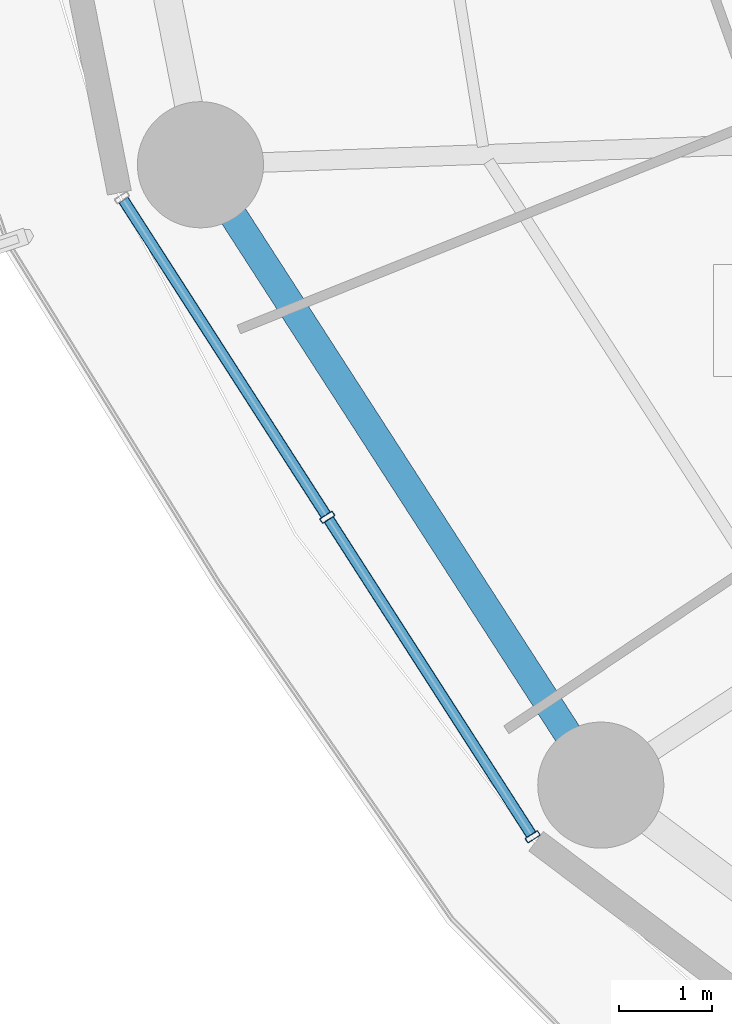
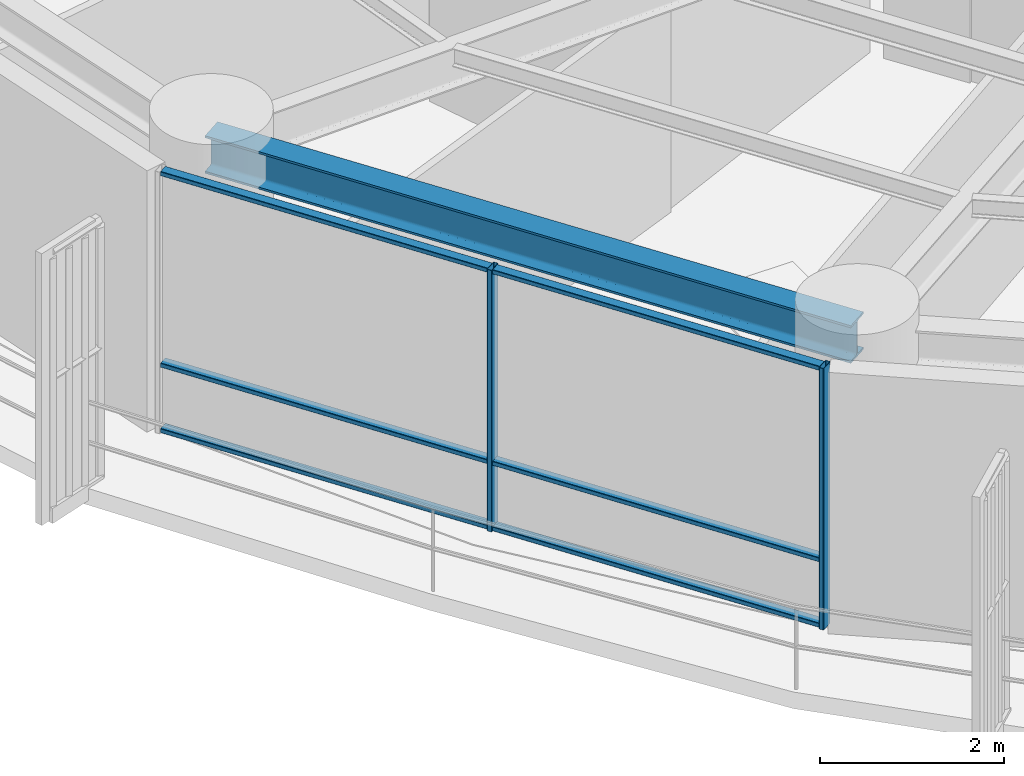
# One storey, part 2 of 35: 8 members, 1 beam, 1 element without a shape of its own.
"""IFC4 building model written with IfcOpenShell, lengths in metres."""

from ifc_helpers import new_model, si_unit, direction, frame, origin, origin_2d, place, context, subcontext, project, spatial, hollow_rectangle, i_section, extrude, material, layer, layer_set, material_profile, profile_set, type_object, element, aggregate, save


model = new_model("IFC4")

# Units and contexts
model_context = context("Model", 3, precision=1e-05, world=origin(), true_north=direction((0.0, 1.0)))
body_context = subcontext(model_context, "Body", "Model", "MODEL_VIEW")
ifc_project = project(units=[si_unit("LENGTHUNIT", "METRE"), si_unit("AREAUNIT", "SQUARE_METRE"), si_unit("VOLUMEUNIT", "CUBIC_METRE"), si_unit("PLANEANGLEUNIT", "RADIAN"), si_unit("MASSUNIT", "GRAM", prefix="KILO")], contexts=[model_context])

# Site, building, storey
site_placement = place(None, origin())
site = spatial("IfcSite", under=ifc_project, at=site_placement, CompositionType="ELEMENT")
building_placement = place(site_placement, origin())
building = spatial("IfcBuilding", under=site, at=building_placement, Name="Kelanora Arch Commons", CompositionType="ELEMENT")
storey_placement = place(building_placement, frame((0.0, 0.0, 121.35009765625)))
storey = spatial("IfcBuildingStorey", under=building, at=storey_placement, Name="L31", CompositionType="ELEMENT", Elevation=121.35009765625)

# Beam
ifc_material_1 = material(Name="Steel S355", Category="steel")
ifc_material_profile_1 = material_profile(ifc_material_1, i_section(OverallWidth=0.300048828125, OverallDepth=0.5, WebThickness=0.014404296875, FlangeThickness=0.028076171875, FilletRadius=0.027099609375, at=origin_2d()), Name="HEB500")
ifc_profile_set_1 = profile_set([ifc_material_profile_1], Name="Steel S355")
beam_type = type_object("IfcBeamType", Name="BM-SPN-Z2", PredefinedType="SPANDREL", material=ifc_profile_set_1)
beam_placement = place(storey_placement, frame((50.808349609375, 50.4482421875, 3.239990234375), z_axis=(0.542221144054, -0.840235818649, 0.0), x_axis=(0.840235818649, 0.542221144054, 0.0)))
element("IfcBeam", 1, at=beam_placement, inside=storey, type_object=beam_type, Name="Perimeter Spandrel Beam BS-20 L31", PredefinedType="SPANDREL", context=body_context, shape_type="SweptSolid", body=[
    extrude(i_section(OverallWidth=0.300048828125, OverallDepth=0.5, WebThickness=0.014404296875, FlangeThickness=0.028076171875, FilletRadius=0.027099609375, at=origin_2d()), origin(), (0.0, 0.0, 1.0), 7.90380859375),
])

# Curtain wall, members
ifc_material_2 = material(Name="Terracotta ceramic-fritted low-E glass and aluminium", Category="masonry")
ifc_layer = layer(ifc_material_2, 0.159912109375)
ifc_layer_set = layer_set([ifc_layer], Name="Terracotta ceramic-fritted low-E glass and aluminium")
curtain_wall_type = type_object("IfcCurtainWallType", Name="CW-SYS-01", PredefinedType="NOTDEFINED", material=ifc_layer_set)
curtain_wall_placement = place(storey_placement, origin())
curtain_wall = element("IfcCurtainWall", 2, at=curtain_wall_placement, inside=storey, type_object=curtain_wall_type, Name="Unitised Curtain Wall L31-B10", PredefinedType="NOTDEFINED")
ifc_material_3 = material(Name="Powder-coated aluminium terracotta", Category="masonry")
ifc_material_profile_2 = material_profile(ifc_material_3, hollow_rectangle(XDim=0.159912109375, YDim=0.06005859375, WallThickness=0.0048828125, InnerFilletRadius=0.0048828125, OuterFilletRadius=0.010009765625, at=origin_2d()), Name="CWM160x60")
ifc_profile_set_2 = profile_set([ifc_material_profile_2], Name="Powder-coated aluminium terracotta")
member_type_1 = type_object("IfcMemberType", Name="CWM-STD", PredefinedType="MULLION", material=ifc_profile_set_2)
member_1_placement = place(storey_placement, frame((52.16650390625, 46.6748046875, 0.0), z_axis=(0.0, 0.0, 1.0), x_axis=(0.841268883088, 0.540616931244, 0.0)))
member_1 = element("IfcMember", 3, at=member_1_placement, type_object=member_type_1, Name="CW-01 mullion 2", PredefinedType="MULLION", context=body_context, shape_type="SweptSolid", body=[
    extrude(hollow_rectangle(XDim=0.159912109375, YDim=0.06005859375, WallThickness=0.0048828125, InnerFilletRadius=0.0048828125, OuterFilletRadius=0.010009765625, at=origin_2d()), origin(), (0.0, 0.0, 1.0), 3.474853515625),
])
member_2_placement = place(storey_placement, frame((54.364990234375, 43.253662109375, 0.0), z_axis=(0.0, 0.0, 1.0), x_axis=(0.841268883088, 0.540616931244, 0.0)))
member_2 = element("IfcMember", 4, at=member_2_placement, type_object=member_type_1, Name="CW-01 mullion 3", PredefinedType="MULLION", context=body_context, shape_type="SweptSolid", body=[
    extrude(hollow_rectangle(XDim=0.159912109375, YDim=0.06005859375, WallThickness=0.0048828125, InnerFilletRadius=0.0048828125, OuterFilletRadius=0.010009765625, at=origin_2d()), origin(), (0.0, 0.0, 1.0), 3.474853515625),
])
ifc_material_profile_3 = material_profile(ifc_material_3, hollow_rectangle(XDim=0.1201171875, YDim=0.06005859375, WallThickness=0.0048828125, InnerFilletRadius=0.0048828125, OuterFilletRadius=0.010009765625, at=origin_2d()), Name="CWT120x60")
ifc_profile_set_3 = profile_set([ifc_material_profile_3], Name="Powder-coated aluminium terracotta")
member_type_2 = type_object("IfcMemberType", Name="CWT-STD", PredefinedType="USERDEFINED", material=ifc_profile_set_3)
member_3_placement = place(storey_placement, frame((49.984375, 50.0703125, 0.02978515625), z_axis=(0.540643629734, -0.841251725483, 0.0), x_axis=(0.841251725483, 0.540643629734, 0.0)))
member_3 = element("IfcMember", 5, at=member_3_placement, type_object=member_type_2, Name="CW-01 transom 1.1", ObjectType="TRANSOM", PredefinedType="USERDEFINED", context=body_context, shape_type="SweptSolid", body=[
    extrude(hollow_rectangle(XDim=0.1201171875, YDim=0.06005859375, WallThickness=0.0048828125, InnerFilletRadius=0.0048828125, OuterFilletRadius=0.010009765625, at=origin_2d()), origin(), (0.0, 0.0, 1.0), 4.00634765625),
])
member_4_placement = place(storey_placement, frame((49.984375, 50.0703125, 0.89990234375), z_axis=(0.540643629734, -0.841251725483, 0.0), x_axis=(0.841251725483, 0.540643629734, 0.0)))
member_4 = element("IfcMember", 6, at=member_4_placement, type_object=member_type_2, Name="CW-01 transom 1.2", ObjectType="TRANSOM", PredefinedType="USERDEFINED", context=body_context, shape_type="SweptSolid", body=[
    extrude(hollow_rectangle(XDim=0.1201171875, YDim=0.06005859375, WallThickness=0.0048828125, InnerFilletRadius=0.0048828125, OuterFilletRadius=0.010009765625, at=origin_2d()), origin(), (0.0, 0.0, 1.0), 4.00634765625),
])
member_5_placement = place(storey_placement, frame((49.984375, 50.0703125, 3.44482421875), z_axis=(0.540643629734, -0.841251725483, 0.0), x_axis=(0.841251725483, 0.540643629734, 0.0)))
member_5 = element("IfcMember", 7, at=member_5_placement, type_object=member_type_2, Name="CW-01 transom 1.3", ObjectType="TRANSOM", PredefinedType="USERDEFINED", context=body_context, shape_type="SweptSolid", body=[
    extrude(hollow_rectangle(XDim=0.1201171875, YDim=0.06005859375, WallThickness=0.0048828125, InnerFilletRadius=0.0048828125, OuterFilletRadius=0.010009765625, at=origin_2d()), origin(), (0.0, 0.0, 1.0), 4.00634765625),
])
member_6_placement = place(storey_placement, frame((52.182861328125, 46.6494140625, 0.02978515625), z_axis=(0.540643629734, -0.841251725483, 0.0), x_axis=(0.841251725483, 0.540643629734, 0.0)))
member_6 = element("IfcMember", 8, at=member_6_placement, type_object=member_type_2, Name="CW-01 transom 2.1", ObjectType="TRANSOM", PredefinedType="USERDEFINED", context=body_context, shape_type="SweptSolid", body=[
    extrude(hollow_rectangle(XDim=0.1201171875, YDim=0.06005859375, WallThickness=0.0048828125, InnerFilletRadius=0.0048828125, OuterFilletRadius=0.010009765625, at=origin_2d()), origin(), (0.0, 0.0, 1.0), 4.00634765625),
])
member_7_placement = place(storey_placement, frame((52.182861328125, 46.6494140625, 0.89990234375), z_axis=(0.540643629734, -0.841251725483, 0.0), x_axis=(0.841251725483, 0.540643629734, 0.0)))
member_7 = element("IfcMember", 9, at=member_7_placement, type_object=member_type_2, Name="CW-01 transom 2.2", ObjectType="TRANSOM", PredefinedType="USERDEFINED", context=body_context, shape_type="SweptSolid", body=[
    extrude(hollow_rectangle(XDim=0.1201171875, YDim=0.06005859375, WallThickness=0.0048828125, InnerFilletRadius=0.0048828125, OuterFilletRadius=0.010009765625, at=origin_2d()), origin(), (0.0, 0.0, 1.0), 4.00634765625),
])
member_8_placement = place(storey_placement, frame((52.182861328125, 46.6494140625, 3.44482421875), z_axis=(0.540643629734, -0.841251725483, 0.0), x_axis=(0.841251725483, 0.540643629734, 0.0)))
member_8 = element("IfcMember", 10, at=member_8_placement, type_object=member_type_2, Name="CW-01 transom 2.3", ObjectType="TRANSOM", PredefinedType="USERDEFINED", context=body_context, shape_type="SweptSolid", body=[
    extrude(hollow_rectangle(XDim=0.1201171875, YDim=0.06005859375, WallThickness=0.0048828125, InnerFilletRadius=0.0048828125, OuterFilletRadius=0.010009765625, at=origin_2d()), origin(), (0.0, 0.0, 1.0), 4.00634765625),
])
aggregate(curtain_wall, [member_1, member_2, member_3, member_4, member_5, member_6, member_7, member_8])

save(model, "model.ifc")
